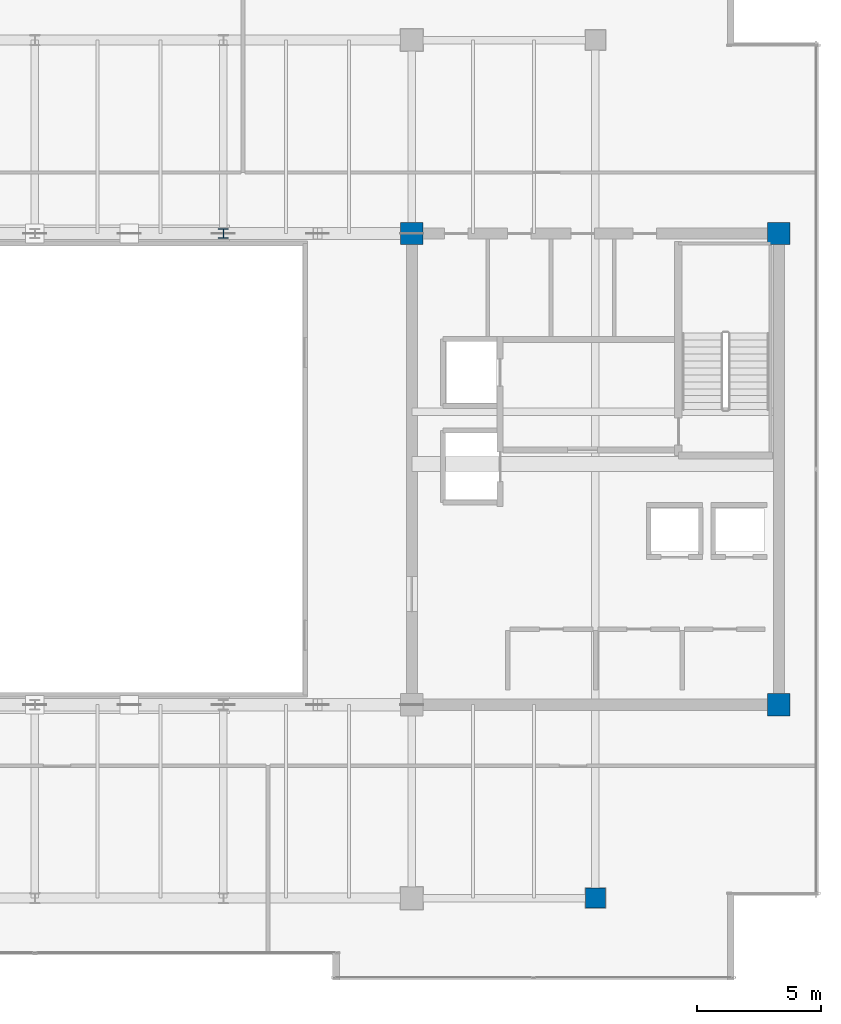
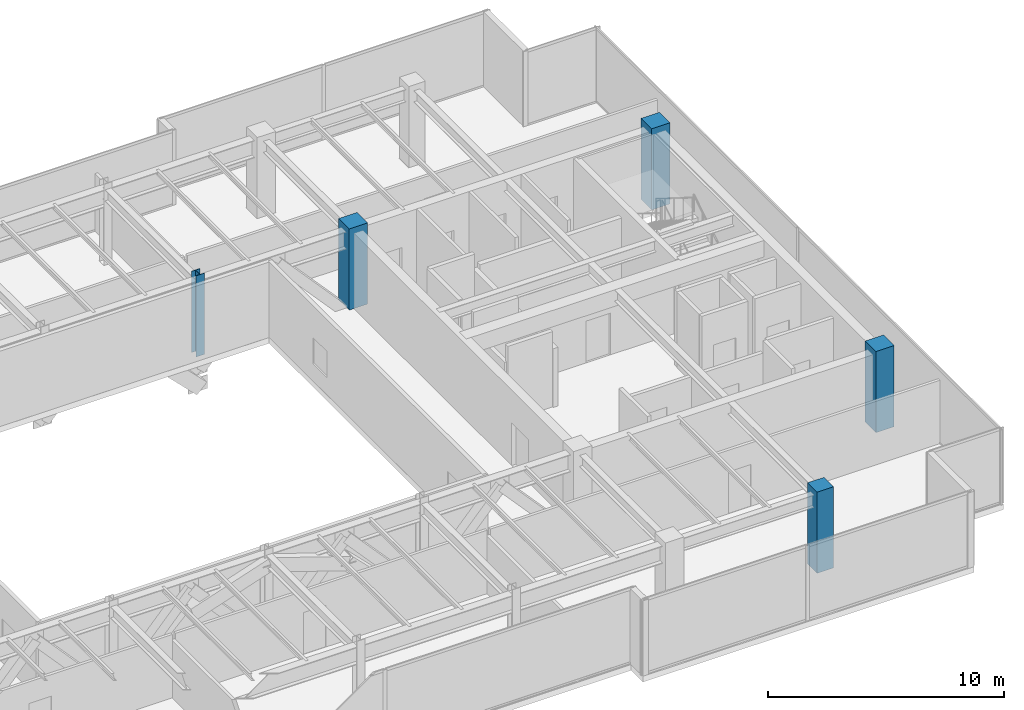
# One storey, part 2 of 32: 5 columns.
"""IFC4 building model written with IfcOpenShell, lengths in metres."""

from ifc_helpers import new_model, si_unit, direction, frame, origin, origin_2d, place, context, subcontext, project, spatial, rectangle, i_section, extrude, source, transform, mapped, material, material_profile, profile_set, type_object, type_shapes, element, save


model = new_model("IFC4")

# Units and contexts
model_context = context("Model", 3, precision=1e-05, world=origin(), true_north=direction((0.0, 1.0)))
body_context = subcontext(model_context, "Body", "Model", "MODEL_VIEW")
ifc_project = project(units=[si_unit("LENGTHUNIT", "METRE"), si_unit("AREAUNIT", "SQUARE_METRE"), si_unit("VOLUMEUNIT", "CUBIC_METRE"), si_unit("PLANEANGLEUNIT", "RADIAN"), si_unit("MASSUNIT", "GRAM", prefix="KILO")], contexts=[model_context])

# Site, building, storey
site_placement = place(None, origin())
site = spatial("IfcSite", under=ifc_project, at=site_placement, CompositionType="ELEMENT")
building_placement = place(site_placement, origin())
building = spatial("IfcBuilding", under=site, at=building_placement, Name="Haelvirn Gate Laboratories", CompositionType="ELEMENT")
storey_placement = place(building_placement, frame((0.0, 0.0, 314.39990234375)))
storey = spatial("IfcBuildingStorey", under=building, at=storey_placement, Name="L75", CompositionType="ELEMENT", Elevation=314.39990234375)

# Columns
ifc_material_1 = material(Name="Concrete C50/60", Category="concrete")
ifc_material_profile_1 = material_profile(ifc_material_1, rectangle(XDim=0.800048828125, YDim=0.800048828125, at=origin_2d()), Name="RC-800x800")
ifc_profile_set_1 = profile_set([ifc_material_profile_1], Name="Concrete C50/60")
column_type_1 = type_object("IfcColumnType", Name="COL-RC-800", PredefinedType="COLUMN", material=ifc_profile_set_1)
shared_shape_1 = source(origin(), body_context, "Body", "SweptSolid", [
    extrude(rectangle(XDim=0.800048828125, YDim=0.800048828125, at=origin_2d()), origin(), (0.0, 0.0, 1.0), 4.2001953125),
])
type_shapes(column_type_1, [shared_shape_1])
column_1_placement = place(storey_placement, frame((60.0, 7.0, 0.0), z_axis=(0.0, 0.0, 1.0), x_axis=(1.0, 0.0, 0.0)))
element("IfcColumn", 1, at=column_1_placement, inside=storey, type_object=column_type_1, Name="L75 Column 9B", PredefinedType="COLUMN", context=body_context, shape_type="MappedRepresentation", body=[
    mapped(shared_shape_1, transform((0.0, 0.0, 0.0), scale=1.0)),
])
ifc_material_profile_2 = material_profile(ifc_material_1, rectangle(XDim=0.89990234375, YDim=0.89990234375, at=origin_2d()), Name="RC-900x900")
ifc_profile_set_2 = profile_set([ifc_material_profile_2], Name="Concrete C50/60")
column_type_2 = type_object("IfcColumnType", Name="COL-RC-900", PredefinedType="COLUMN", material=ifc_profile_set_2)
shared_shape_2 = source(origin(), body_context, "Body", "SweptSolid", [
    extrude(rectangle(XDim=0.89990234375, YDim=0.89990234375, at=origin_2d()), origin(), (0.0, 0.0, 1.0), 4.2001953125),
])
type_shapes(column_type_2, [shared_shape_2])
for number, where, z_axis, x_axis, name in (
    (2, (67.39990234375, 14.800048828125, 0.0), (0.0, 0.0, 1.0), (1.0, 0.0, 0.0), "L75 Column 10C"),
    (3, (52.60009765625, 33.800048828125, 0.0), (0.0, 0.0, 1.0), (1.0, 0.0, 0.0), "L75 Column 8F"),
    (4, (67.39990234375, 33.800048828125, 0.0), (0.0, 0.0, 1.0), (1.0, 0.0, 0.0), "L75 Column 10F"),
):
    element("IfcColumn", number, at=place(storey_placement, frame(where, z_axis=z_axis, x_axis=x_axis)), inside=storey, type_object=column_type_2, Name=name, PredefinedType="COLUMN", context=body_context, shape_type="MappedRepresentation", body=[
        mapped(shared_shape_2, transform((0.0, 0.0, 0.0), scale=1.0)),
    ])
ifc_material_2 = material(Name="Steel SM355", Category="steel")
ifc_material_profile_3 = material_profile(ifc_material_2, i_section(OverallWidth=0.39990234375, OverallDepth=0.39990234375, WebThickness=0.02099609375, FlangeThickness=0.02099609375, at=origin_2d()), Name="H-400x400x21x21")
ifc_profile_set_3 = profile_set([ifc_material_profile_3], Name="Steel SM355")
column_type_3 = type_object("IfcColumnType", Name="COL-H-400", PredefinedType="COLUMN", material=ifc_profile_set_3)
shared_shape_3 = source(origin(), body_context, "Body", "SweptSolid", [
    extrude(i_section(OverallWidth=0.39990234375, OverallDepth=0.39990234375, WebThickness=0.02099609375, FlangeThickness=0.02099609375, at=origin_2d()), origin(), (0.0, 0.0, 1.0), 4.2001953125),
])
type_shapes(column_type_3, [shared_shape_3])
column_2_placement = place(storey_placement, frame((45.0, 33.800048828125, 0.0), z_axis=(0.0, 0.0, 1.0), x_axis=(1.0, 0.0, 0.0)))
element("IfcColumn", 5, at=column_2_placement, inside=storey, type_object=column_type_3, Name="L75 Column 7F", PredefinedType="COLUMN", context=body_context, shape_type="MappedRepresentation", body=[
    mapped(shared_shape_3, transform((0.0, 0.0, 0.0), scale=1.0)),
])

save(model, "model.ifc")
